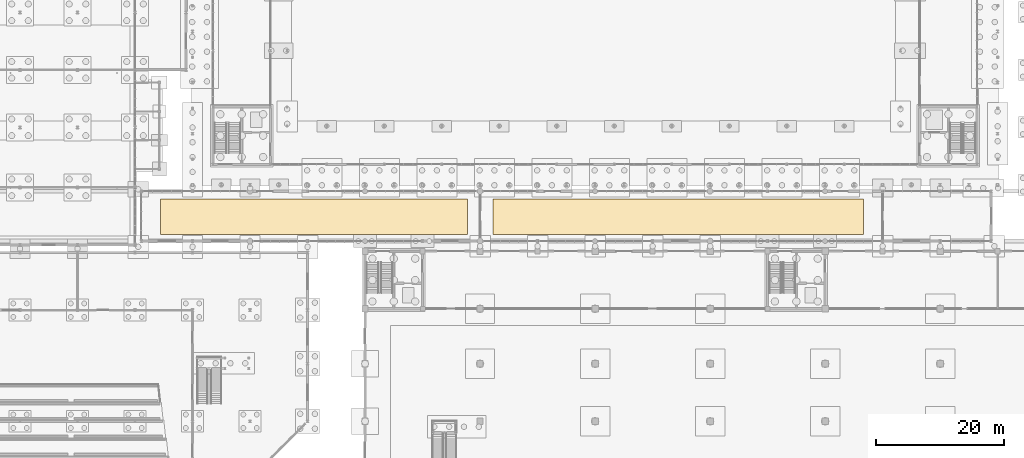
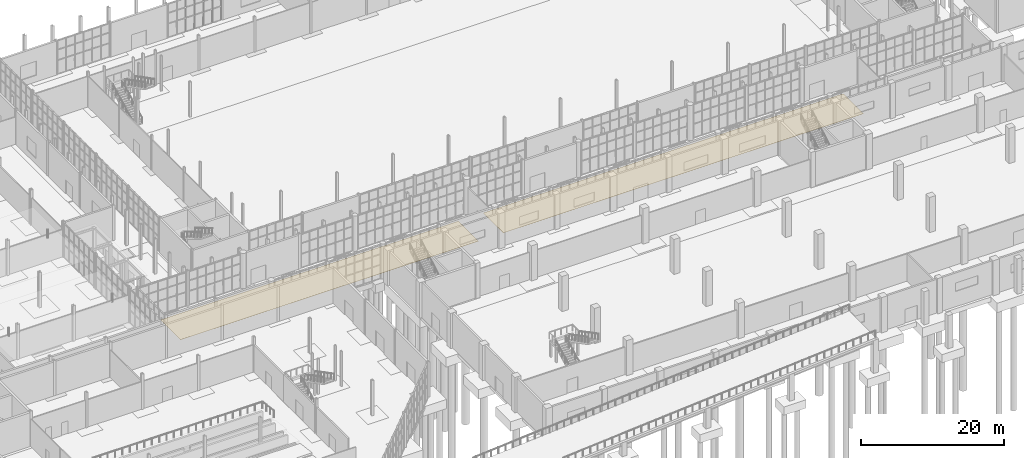
# One storey, part 120 of 131: 2 coverings.
"""IFC4 building model written with IfcOpenShell, lengths in metres."""

import ifcopenshell
import ifcopenshell.guid

model = None  # the IFC model being written
_history = None  # IfcOwnerHistory: only IFC2X3 demands one
_inside = {}  # id of a spatial element -> (the spatial element, [elements in it])
_under = {}  # id of a project, library or spatial element -> (it, [spatial elements below it])
_declared = {}  # id of a project -> (the project, [libraries it declares])
_typed = {}  # id of a type object -> (the type object, [elements of that type])
_made_of = {}  # id of a material, layer set ... -> (it, [elements and type objects made of it])


def new_model(schema):
    """Start an empty IFC model of exactly this schema.

    Asked for "IFC4X3", IfcOpenShell would pick the latest addendum, in which some entities
    have other attributes; the version numbers below select the first issue.
    IFC2X3 requires an IfcOwnerHistory on every rooted entity: one is made here for all.
    """
    global model, _history
    if schema == "IFC4X3":
        model = ifcopenshell.file(schema_version=(4, 3, 0, 0))
    else:
        model = ifcopenshell.file(schema=schema)
    _inside.clear()
    _under.clear()
    _declared.clear()
    _typed.clear()
    _made_of.clear()
    _history = None
    if model.schema == "IFC2X3":
        org = make("IfcOrganization", Name="unknown")
        user = make(
            "IfcPersonAndOrganization",
            ThePerson=make("IfcPerson", FamilyName="unknown"),
            TheOrganization=org,
        )
        app = make(
            "IfcApplication",
            ApplicationDeveloper=org,
            Version="unknown",
            ApplicationFullName="unknown",
            ApplicationIdentifier="unknown",
        )
        _history = make(
            "IfcOwnerHistory",
            OwningUser=user,
            OwningApplication=app,
            ChangeAction="ADDED",
            CreationDate=0,
        )
    return model


def make(cls, **values):
    """One entity of the class cls with the attributes given. An attribute that is None is left unset."""
    return model.create_entity(
        cls, **{name: value for name, value in values.items() if value is not None}
    )


def rooted(cls, **values):
    """An entity with a GlobalId (a new one), such as an element, a storey or a relation."""
    return make(cls, GlobalId=ifcopenshell.guid.new(), OwnerHistory=_history, **values)


def si_unit(unit_type, name, prefix=None):
    """IfcSIUnit, for example si_unit("LENGTHUNIT", "METRE", prefix="MILLI")."""
    return make("IfcSIUnit", UnitType=unit_type, Prefix=prefix, Name=name)


def assignment(units):
    """IfcUnitAssignment: the units of a project."""
    return None if units is None else make("IfcUnitAssignment", Units=units)


def point(xyz):
    """IfcCartesianPoint."""
    return None if xyz is None else make("IfcCartesianPoint", Coordinates=xyz)


def direction(xyz):
    """IfcDirection."""
    return None if xyz is None else make("IfcDirection", DirectionRatios=xyz)


def frame(location, z_axis=None, x_axis=None):
    """IfcAxis2Placement3D, a coordinate frame: its origin and axes. An axis left out is left unset."""
    return make(
        "IfcAxis2Placement3D",
        Location=point(location),
        Axis=direction(z_axis),
        RefDirection=direction(x_axis),
    )


def origin():
    """The frame at (0, 0, 0) with its axes left unset."""
    return frame((0.0, 0.0, 0.0))


def place(relative_to, where):
    """IfcLocalPlacement: puts the frame where relative to a parent placement (None: the world)."""
    return make(
        "IfcLocalPlacement", PlacementRelTo=relative_to, RelativePlacement=where
    )


def context(
    kind, dimensions, precision=None, world=None, true_north=None, identifier=None
):
    """IfcGeometricRepresentationContext, for example the 3D "Model" context."""
    return make(
        "IfcGeometricRepresentationContext",
        ContextIdentifier=identifier,
        ContextType=kind,
        CoordinateSpaceDimension=dimensions,
        Precision=precision,
        WorldCoordinateSystem=world,
        TrueNorth=true_north,
    )


def subcontext(parent, identifier, kind, view, scale=None):
    """IfcGeometricRepresentationSubContext, for example "Body" below "Model"."""
    return make(
        "IfcGeometricRepresentationSubContext",
        ContextIdentifier=identifier,
        ContextType=kind,
        ParentContext=parent,
        TargetScale=scale,
        TargetView=view,
    )


def project(units=None, contexts=None):
    """IfcProject with its units and contexts."""
    return rooted(
        "IfcProject",
        Name="project",
        RepresentationContexts=contexts,
        UnitsInContext=assignment(units),
    )


def spatial(cls, under=None, at=None, **own):
    """A site, building, storey or space (cls), placed at a placement, below another one or the project."""
    s = rooted(cls, ObjectPlacement=at, **own)
    if under is not None:
        _under.setdefault(under.id(), (under, []))[1].append(s)
    return s


def polyline(points):
    """IfcPolyline through the points."""
    return make("IfcPolyline", Points=[point(p) for p in points])


def outline(outer, holes=None, kind="AREA"):
    """IfcArbitraryClosedProfileDef: a profile drawn as a closed curve; with holes, ...WithVoids."""
    if holes is None:
        return make("IfcArbitraryClosedProfileDef", ProfileType=kind, OuterCurve=outer)
    return make(
        "IfcArbitraryProfileDefWithVoids",
        ProfileType=kind,
        OuterCurve=outer,
        InnerCurves=holes,
    )


def extrude(swept, where, along, depth):
    """IfcExtrudedAreaSolid: the profile swept, set in the frame where, extruded along a direction by depth."""
    return make(
        "IfcExtrudedAreaSolid",
        SweptArea=swept,
        Position=where,
        ExtrudedDirection=direction(along),
        Depth=depth,
    )


def shape(context_of_items, identifier, shape_type, items):
    """IfcShapeRepresentation: the items that make up one representation, for example the "Body"."""
    return make(
        "IfcShapeRepresentation",
        ContextOfItems=context_of_items,
        RepresentationIdentifier=identifier,
        RepresentationType=shape_type,
        Items=items,
    )


def material(Name=None, Category=None):
    """IfcMaterial."""
    return make("IfcMaterial", Name=Name, Category=Category)


def layer(
    of_material, thickness, ventilated=None, Name=None, Category=None, Priority=None
):
    """IfcMaterialLayer: one layer of a wall or slab, of a material (None: an air gap)."""
    return make(
        "IfcMaterialLayer",
        Material=of_material,
        LayerThickness=thickness,
        IsVentilated=ventilated,
        Name=Name,
        Category=Category,
        Priority=Priority,
    )


def layer_set(layers, Name=None):
    """IfcMaterialLayerSet."""
    return make("IfcMaterialLayerSet", MaterialLayers=layers, LayerSetName=Name)


def made_of(thing, what):
    """Note that an element or type object is made of a material, layer set ...; save() writes the relation."""
    if what is not None:
        _made_of.setdefault(what.id(), (what, []))[1].append(thing)
    return thing


def type_object(cls, material=None, **own):
    """A type object (cls), such as IfcWallType, which elements share."""
    return made_of(rooted(cls, **own), material)


def element(
    cls,
    number,
    at=None,
    inside=None,
    cuts=None,
    type_object=None,
    material=None,
    context=None,
    identifier="Body",
    shape_type=None,
    held_by="IfcProductDefinitionShape",
    body=None,
    shapes=None,
    **own,
):
    """One element of the class cls, such as IfcWall. Its Tag is "e" and its number.

    at: its placement. inside: the storey or other place that contains it. cuts: it is an
    opening in that element (IfcRelVoidsElement). A single representation is given by context,
    identifier, shape_type and body (its items); several are given by shapes. held_by: the class
    of the entity that holds the representations. save() writes the other relations.
    """
    e = rooted(cls, Tag="e%d" % number, ObjectPlacement=at, **own)
    if body is not None:
        shapes = [shape(context, identifier, shape_type, body)]
    if shapes is not None:
        e.Representation = make(held_by, Representations=shapes)
    if inside is not None:
        _inside.setdefault(inside.id(), (inside, []))[1].append(e)
    if cuts is not None:
        rooted(
            "IfcRelVoidsElement", RelatingBuildingElement=cuts, RelatedOpeningElement=e
        )
    if type_object is not None:
        _typed.setdefault(type_object.id(), (type_object, []))[1].append(e)
    return made_of(e, material)


def aggregate(whole, parts):
    """IfcRelAggregates: a whole, such as a stair, and the parts it consists of."""
    return rooted("IfcRelAggregates", RelatingObject=whole, RelatedObjects=parts)


def save(model, path):
    """Write the relations noted so far, then the file.

    IfcRelAggregates (storeys below a building ...), IfcRelContainedInSpatialStructure (elements
    in a storey), IfcRelDefinesByType, IfcRelAssociatesMaterial and IfcRelDeclares: one each for
    every whole, place, type object, material and project.
    """
    for whole, parts in _under.values():
        aggregate(whole, parts)
    for where, things in _inside.values():
        rooted(
            "IfcRelContainedInSpatialStructure",
            RelatedElements=things,
            RelatingStructure=where,
        )
    for kind, things in _typed.values():
        rooted("IfcRelDefinesByType", RelatedObjects=things, RelatingType=kind)
    for what, things in _made_of.values():
        rooted("IfcRelAssociatesMaterial", RelatedObjects=things, RelatingMaterial=what)
    for by, libraries in _declared.values():
        rooted("IfcRelDeclares", RelatingContext=by, RelatedDefinitions=libraries)
    model.write(path)


model = new_model("IFC4")

# Units and contexts
model_context = context("Model", 3, precision=1e-05, world=origin(), true_north=direction((0.0, 1.0)))
body_context = subcontext(model_context, "Body", "Model", "MODEL_VIEW")
ifc_project = project(units=[si_unit("LENGTHUNIT", "METRE"), si_unit("AREAUNIT", "SQUARE_METRE"), si_unit("VOLUMEUNIT", "CUBIC_METRE"), si_unit("PLANEANGLEUNIT", "RADIAN"), si_unit("MASSUNIT", "GRAM", prefix="KILO")], contexts=[model_context])

# Site, building, storey
site_placement = place(None, origin())
site = spatial("IfcSite", under=ifc_project, at=site_placement, CompositionType="ELEMENT")
building_placement = place(site_placement, origin())
building = spatial("IfcBuilding", under=site, at=building_placement, Name="Cazmaro Siding Exhibition Halls", CompositionType="ELEMENT")
storey_placement = place(building_placement, origin())
storey = spatial("IfcBuildingStorey", under=building, at=storey_placement, Name="L00", CompositionType="ELEMENT", Elevation=0.0)

# Coverings
ifc_material = material(Name="Recycled Rubber Exhibition Hall Acoustic Flooring", Category="concrete")
ifc_layer = layer(ifc_material, 0.02001953125)
ifc_layer_set = layer_set([ifc_layer], Name="Recycled Rubber Exhibition Hall Acoustic Flooring")
covering_type = type_object("IfcCoveringType", Name="COV-FLR-01", PredefinedType="FLOORING", material=ifc_layer_set)
covering_1_placement = place(storey_placement, origin())
element("IfcCovering", 1, at=covering_1_placement, inside=storey, type_object=covering_type, Name="Recycled Rubber Exhibition Flooring 004", PredefinedType="FLOORING", context=body_context, shape_type="SweptSolid", body=[
    extrude(outline(polyline([(40.0, 56.199951171875), (88.0, 56.199951171875), (88.0, 61.800048828125), (40.0, 61.800048828125), (40.0, 56.199951171875)])), origin(), (0.0, 0.0, 1.0), 0.02001953125),
])
covering_2_placement = place(storey_placement, origin())
element("IfcCovering", 2, at=covering_2_placement, inside=storey, type_object=covering_type, Name="Recycled Rubber Exhibition Flooring 005", PredefinedType="FLOORING", context=body_context, shape_type="SweptSolid", body=[
    extrude(outline(polyline([(92.0, 56.199951171875), (150.0, 56.199951171875), (150.0, 61.800048828125), (92.0, 61.800048828125), (92.0, 56.199951171875)])), origin(), (0.0, 0.0, 1.0), 0.02001953125),
])

save(model, "model.ifc")
